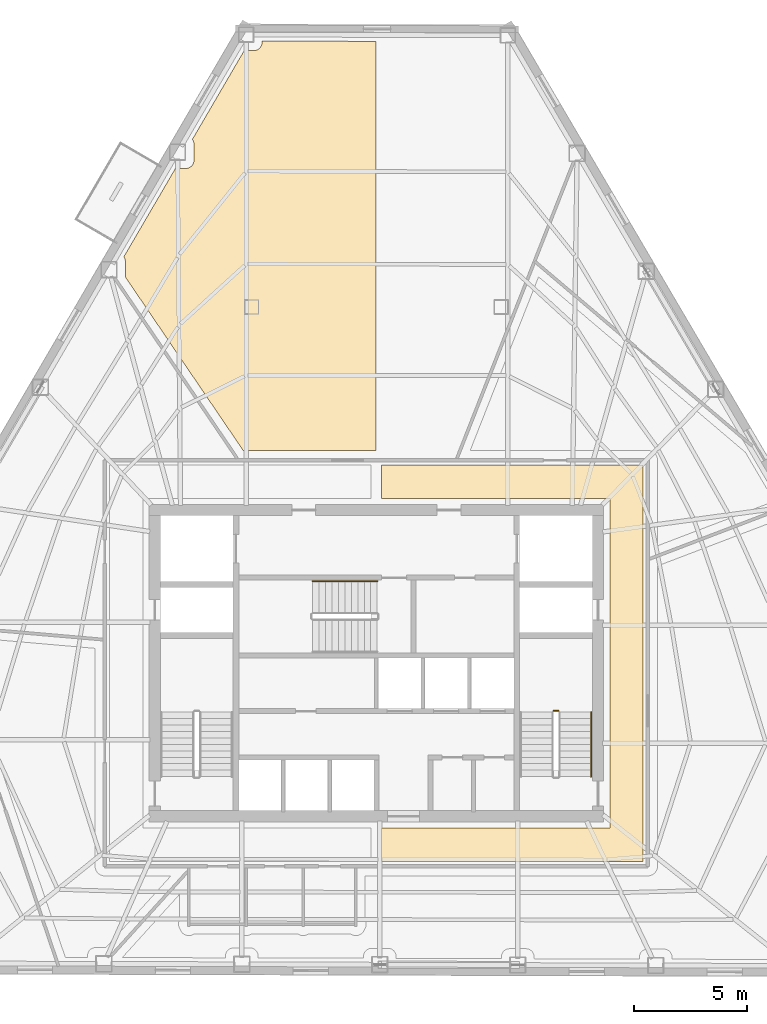
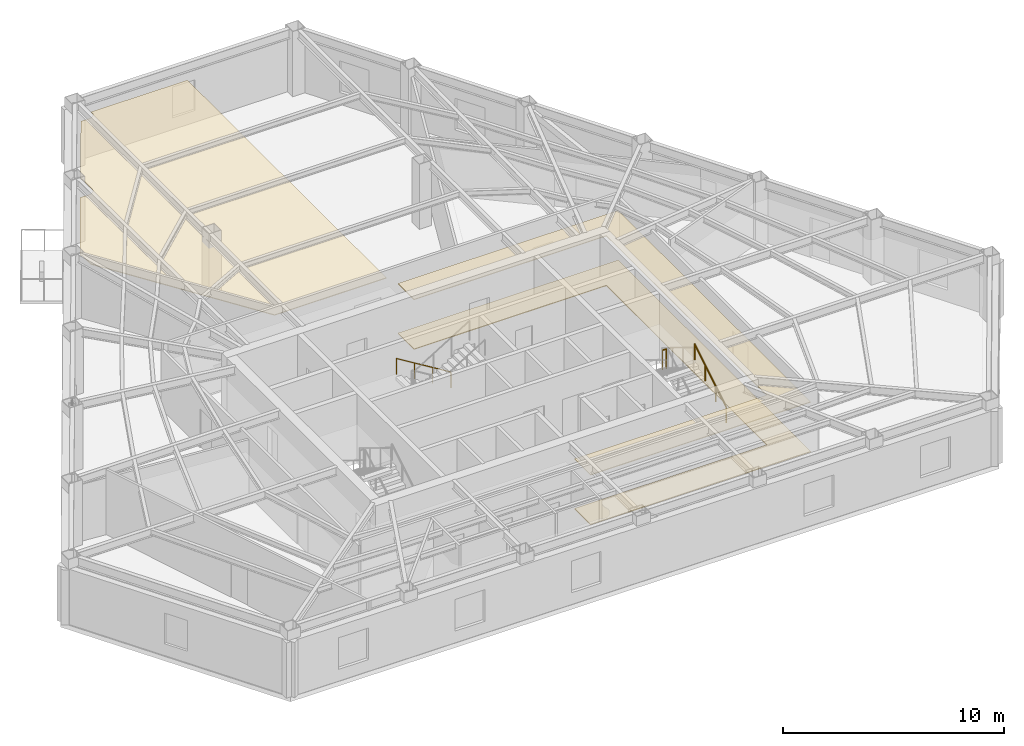
# One storey, part 10 of 11: 3 coverings, 3 railings.
"""IFC4 building model written with IfcOpenShell, lengths in metres."""

from ifc_helpers import new_model, si_unit, direction, frame, origin, origin_2d, place, context, subcontext, project, spatial, polyline, circle, outline, extrude, material, layer, layer_set, type_object, element, save


model = new_model("IFC4")

# Units and contexts
model_context = context("Model", 3, precision=1e-05, world=origin(), true_north=direction((0.0, 1.0)))
body_context = subcontext(model_context, "Body", "Model", "MODEL_VIEW")
ifc_project = project(units=[si_unit("LENGTHUNIT", "METRE"), si_unit("AREAUNIT", "SQUARE_METRE"), si_unit("VOLUMEUNIT", "CUBIC_METRE"), si_unit("PLANEANGLEUNIT", "RADIAN"), si_unit("MASSUNIT", "GRAM", prefix="KILO")], contexts=[model_context])

# Site, building, storey
site_placement = place(None, origin())
site = spatial("IfcSite", under=ifc_project, at=site_placement, CompositionType="ELEMENT")
building_placement = place(site_placement, origin())
building = spatial("IfcBuilding", under=site, at=building_placement, Name="Kavelnor Concourse Tower", CompositionType="ELEMENT")
storey_placement = place(building_placement, frame((0.0, 0.0, 127.85009765625)))
storey = spatial("IfcBuildingStorey", under=building, at=storey_placement, Name="L32", CompositionType="ELEMENT", Elevation=127.85009765625)

# Coverings
ifc_material_1 = material(Name="Mineral fibre acoustic ceiling tile")
ifc_layer_1 = layer(ifc_material_1, 0.0400390625, Name="Mineral fibre acoustic ceiling tile")
ifc_layer_set_1 = layer_set([ifc_layer_1], Name="Mineral fibre acoustic ceiling tile")
covering_type_1 = type_object("IfcCoveringType", Name="COV-CEILING-ACOUSTIC", PredefinedType="CEILING", material=ifc_layer_set_1)
covering_1_placement = place(storey_placement, frame((0.0, 0.0, 2.75)))
element("IfcCovering", 1, at=covering_1_placement, inside=storey, type_object=covering_type_1, Name="L32 Suspended Acoustic Ceiling", PredefinedType="CEILING", context=body_context, shape_type="SweptSolid", body=[
    extrude(outline(polyline([(49.75, 7.3701171875), (38.22509765625, 7.3701171875), (38.22509765625, 8.830078125), (48.2900390625, 8.830078125), (48.2900390625, 23.3701171875), (38.22509765625, 23.3701171875), (38.22509765625, 24.830078125), (49.75, 24.830078125), (49.75, 7.3701171875)])), origin(), (0.0, 0.0, 1.0), 0.039794921875),
])
covering_2_placement = place(storey_placement, frame((0.0, 0.0, 2.75)))
element("IfcCovering", 2, at=covering_2_placement, inside=storey, type_object=covering_type_1, Name="L32 Suspended Acoustic Ceiling", PredefinedType="CEILING", context=body_context, shape_type="SweptSolid", body=[
    extrude(outline(polyline([(29.63671875, 37.906494140625), (29.671630859375, 37.91162109375), (29.705810546875, 37.920166015625), (29.7392578125, 37.93212890625), (29.771240234375, 37.947265625), (29.801513671875, 37.96533203125), (29.829833984375, 37.986572265625), (29.856201171875, 38.01025390625), (29.8798828125, 38.03662109375), (29.90087890625, 38.06494140625), (29.919189453125, 38.09521484375), (29.934326171875, 38.127197265625), (29.9462890625, 38.160400390625), (29.954833984375, 38.19482421875), (29.9599609375, 38.229736328125), (29.961181640625, 38.2568359375), (29.961181640625, 38.993408203125), (29.9599609375, 39.0205078125), (29.954833984375, 39.055419921875), (29.9462890625, 39.089599609375), (29.934326171875, 39.123046875), (29.919189453125, 39.155029296875), (29.90087890625, 39.185302734375), (29.896240234375, 39.191650390625), (32.180419921875, 43.105712890625), (32.61328125, 43.105712890625), (32.64013671875, 43.10693359375), (32.67529296875, 43.112060546875), (32.70947265625, 43.12060546875), (32.742919921875, 43.132568359375), (32.77490234375, 43.147705078125), (32.80517578125, 43.166015625), (32.83349609375, 43.18701171875), (32.859619140625, 43.210693359375), (32.883544921875, 43.237060546875), (32.904541015625, 43.265380859375), (32.9228515625, 43.295654296875), (32.93798828125, 43.32763671875), (32.94970703125, 43.361083984375), (32.95849609375, 43.395263671875), (32.963623046875, 43.430419921875), (32.96484375, 43.457275390625), (32.96484375, 43.5234375), (37.9951171875, 43.5087890625), (37.9951171875, 25.472412109375), (32.135009765625, 25.472412109375), (26.937744140625, 33.123046875), (26.937744140625, 33.812744140625), (26.936279296875, 33.83984375), (26.93115234375, 33.874755859375), (26.922607421875, 33.9091796875), (26.91064453125, 33.9423828125), (26.8955078125, 33.974365234375), (26.87744140625, 34.004638671875), (26.87255859375, 34.01123046875), (29.145263671875, 37.905029296875), (29.609619140625, 37.905029296875), (29.63671875, 37.906494140625)])), origin(), (0.0, 0.0, 1.0), 0.039794921875),
])
ifc_material_2 = material(Name="Honed bluestone and raised access floor finish", Category="masonry")
ifc_layer_2 = layer(ifc_material_2, 0.0400390625, Name="Honed bluestone and raised access floor finish")
ifc_layer_set_2 = layer_set([ifc_layer_2], Name="Honed bluestone and raised access floor finish")
covering_type_2 = type_object("IfcCoveringType", Name="COV-FLOOR-STONE", PredefinedType="FLOORING", material=ifc_layer_set_2)
covering_3_placement = place(storey_placement, frame((0.0, 0.0, 0.001953125)))
element("IfcCovering", 3, at=covering_3_placement, inside=storey, type_object=covering_type_2, Name="L32 Honed Bluestone Floor Finish", PredefinedType="FLOORING", context=body_context, shape_type="SweptSolid", body=[
    extrude(outline(polyline([(49.75, 7.3701171875), (38.22509765625, 7.3701171875), (38.22509765625, 8.830078125), (48.2900390625, 8.830078125), (48.2900390625, 23.3701171875), (38.22509765625, 23.3701171875), (38.22509765625, 24.830078125), (49.75, 24.830078125), (49.75, 7.3701171875)])), origin(), (0.0, 0.0, 1.0), 0.0400390625),
])

# Railings
ifc_material_3 = material(Name="Steel Grade 350", Category="steel")
railing_type_1 = type_object("IfcRailingType", Name="RLG-GUARD-1100", PredefinedType="GUARDRAIL", material=ifc_material_3)
railing_1_placement = place(storey_placement, frame((46.02001953125, 14.0, 1.9248046875)))
element("IfcRailing", 4, at=railing_1_placement, inside=storey, type_object=railing_type_1, Name="L32 ST2 stair guard 2", PredefinedType="GUARDRAIL", context=body_context, shape_type="SweptSolid", body=[
    extrude(circle(Radius=0.02392578125, at=origin_2d()), frame((0.0, 0.0, 1.076171875), z_axis=(-1.0, 0.0, 0.0), x_axis=(0.0, -1.0, 0.0)), (0.0, 0.0, 1.0), 0.199951171875),
    extrude(circle(Radius=0.02099609375, at=origin_2d()), origin(), (0.0, 0.0, 1.0), 1.052001953125),
    extrude(circle(Radius=0.02099609375, at=origin_2d()), frame((-0.199951171875, 0.0, 0.0)), (0.0, 0.0, 1.0), 1.052001953125),
])
railing_type_2 = type_object("IfcRailingType", Name="RLG-HANDRAIL-900", PredefinedType="HANDRAIL", material=ifc_material_3)
railing_2_placement = place(storey_placement, frame((47.469970703125, 11.10009765625, 0.1748046875)))
element("IfcRailing", 5, at=railing_2_placement, inside=storey, type_object=railing_type_2, Name="L32 ST2 stair handrail 1", PredefinedType="HANDRAIL", context=body_context, shape_type="SweptSolid", body=[
    extrude(circle(Radius=0.02392578125, at=origin_2d()), frame((0.0, 0.0, 0.8759765625), z_axis=(0.0, 0.852159232446, 0.523282564737), x_axis=(-1.0, 0.0, 0.0)), (0.0, 0.0, 1.0), 3.34423828125),
    extrude(circle(Radius=0.02099609375, at=origin_2d()), origin(), (0.0, 0.0, 1.0), 0.851806640625),
    extrude(circle(Radius=0.02099609375, at=origin_2d()), frame((0.0, 0.949951171875, 0.583251953125)), (0.0, 0.0, 1.0), 0.851806640625),
    extrude(circle(Radius=0.02099609375, at=origin_2d()), frame((0.0, 1.89990234375, 1.166748046875)), (0.0, 0.0, 1.0), 0.851806640625),
    extrude(circle(Radius=0.02099609375, at=origin_2d()), frame((0.0, 2.849853515625, 1.75)), (0.0, 0.0, 1.0), 0.851806640625),
])
railing_3_placement = place(storey_placement, frame((38.0400390625, 19.7099609375, 0.1748046875)))
element("IfcRailing", 6, at=railing_3_placement, inside=storey, type_object=railing_type_2, Name="L32 ST3 stair handrail 1", PredefinedType="HANDRAIL", context=body_context, shape_type="SweptSolid", body=[
    extrude(circle(Radius=0.02392578125, at=origin_2d()), frame((0.0, 0.0, 0.8759765625), z_axis=(-0.852179220489, 0.0, 0.52325001306), x_axis=(0.0, -1.0, 0.0)), (0.0, 0.0, 1.0), 3.344482421875),
    extrude(circle(Radius=0.02099609375, at=origin_2d()), origin(), (0.0, 0.0, 1.0), 0.851806640625),
    extrude(circle(Radius=0.02099609375, at=origin_2d()), frame((-0.949951171875, 0.0, 0.583251953125)), (0.0, 0.0, 1.0), 0.851806640625),
    extrude(circle(Radius=0.02099609375, at=origin_2d()), frame((-1.900146484375, 0.0, 1.166748046875)), (0.0, 0.0, 1.0), 0.851806640625),
    extrude(circle(Radius=0.02099609375, at=origin_2d()), frame((-2.85009765625, 0.0, 1.75)), (0.0, 0.0, 1.0), 0.851806640625),
])

save(model, "model.ifc")
